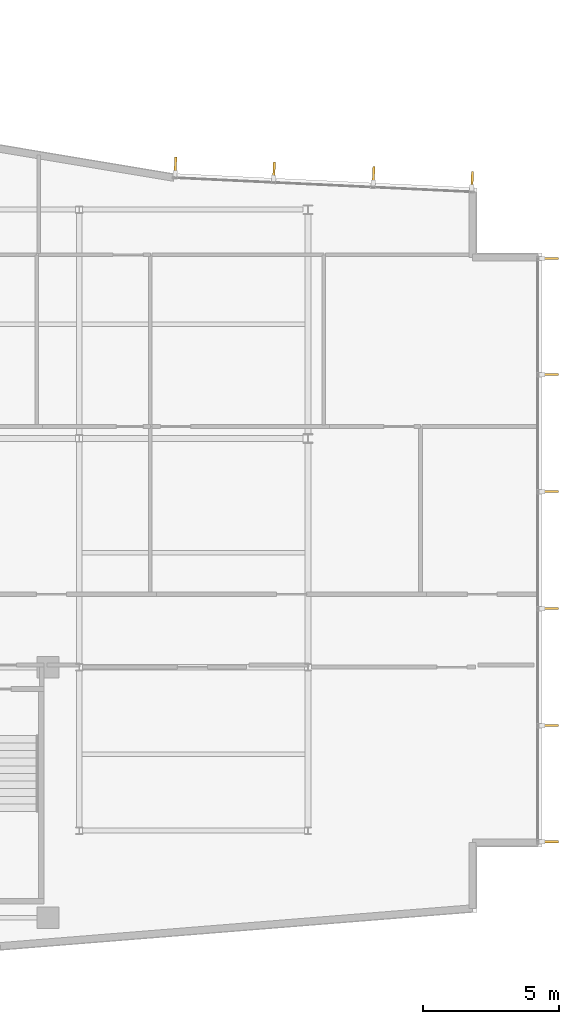
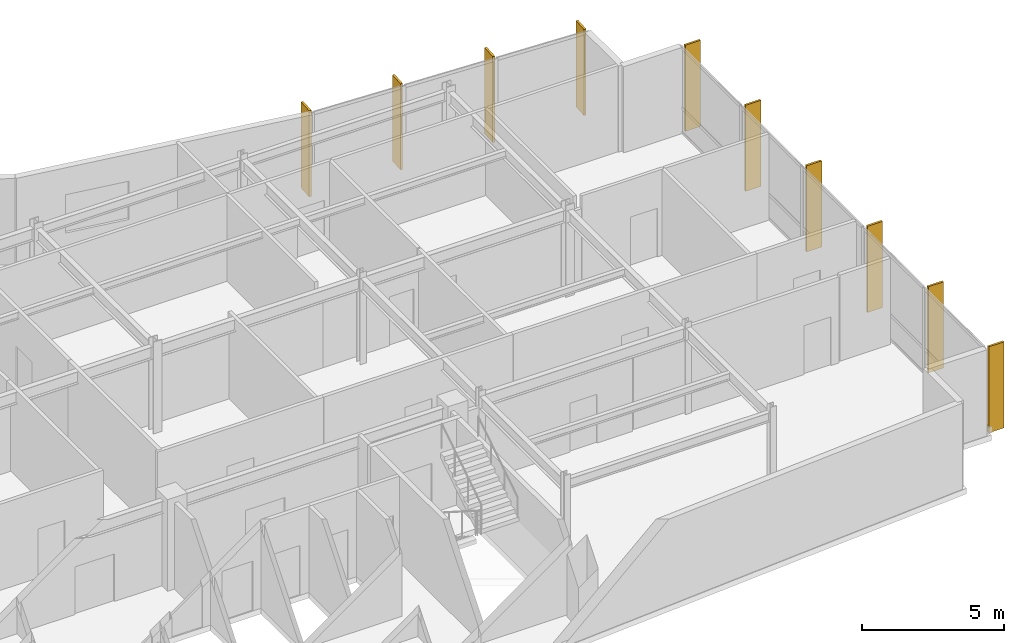
# One storey, part 15 of 16: 10 shading devices.
"""IFC4 building model written with IfcOpenShell, lengths in metres."""

from ifc_helpers import new_model, si_unit, direction, frame, origin, origin_2d, place, context, subcontext, project, spatial, rectangle, extrude, material, layer, layer_set, type_object, element, save


model = new_model("IFC4")

# Units and contexts
model_context = context("Model", 3, precision=1e-05, world=origin(), true_north=direction((0.0, 1.0)))
body_context = subcontext(model_context, "Body", "Model", "MODEL_VIEW")
ifc_project = project(units=[si_unit("LENGTHUNIT", "METRE"), si_unit("AREAUNIT", "SQUARE_METRE"), si_unit("VOLUMEUNIT", "CUBIC_METRE"), si_unit("PLANEANGLEUNIT", "RADIAN"), si_unit("MASSUNIT", "GRAM", prefix="KILO")], contexts=[model_context])

# Site, building, storey
site_placement = place(None, origin())
site = spatial("IfcSite", under=ifc_project, at=site_placement, CompositionType="ELEMENT")
building_placement = place(site_placement, origin())
building = spatial("IfcBuilding", under=site, at=building_placement, Name="Varnakote Quay Hospital", CompositionType="ELEMENT")
storey_placement = place(building_placement, frame((0.0, 0.0, 268.39990234375)))
storey = spatial("IfcBuildingStorey", under=building, at=storey_placement, Name="L66", CompositionType="ELEMENT", Elevation=268.39990234375)

# Shading devices
ifc_material = material(Name="Anodised aluminium 6063-T6 Bronze", Category="aluminium")
ifc_layer = layer(ifc_material, 0.0849609375)
ifc_layer_set = layer_set([ifc_layer], Name="Anodised aluminium 6063-T6 Bronze")
shading_device_type = type_object("IfcShadingDeviceType", Name="SHD-BRONZE-FIN-620", PredefinedType="USERDEFINED", material=ifc_layer_set)
for number, where, z_axis, x_axis, name in (
    (1, (42.489990234375, 5.592529296875, 0.0), (0.0, 0.0, 1.0), (-1.0, 0.0, 0.0), "L66 Anodised Bronze Vertical Shading FIN"),
    (2, (42.489990234375, 9.85595703125, 0.0), (0.0, 0.0, 1.0), (-1.0, 0.0, 0.0), "L66 Anodised Bronze Vertical Shading FIN"),
    (3, (42.489990234375, 14.152099609375, 0.0), (0.0, 0.0, 1.0), (-1.0, 0.0, 0.0), "L66 Anodised Bronze Vertical Shading FIN"),
    (4, (42.489990234375, 18.447998046875, 0.0), (0.0, 0.0, 1.0), (-1.0, 0.0, 0.0), "L66 Anodised Bronze Vertical Shading FIN"),
    (5, (42.489990234375, 22.743896484375, 0.0), (0.0, 0.0, 1.0), (-1.0, 0.0, 0.0), "L66 Anodised Bronze Vertical Shading FIN"),
    (6, (42.489990234375, 27.007568359375, 0.0), (0.0, 0.0, 1.0), (-1.0, 0.0, 0.0), "L66 Anodised Bronze Vertical Shading FIN"),
    (7, (39.62890625, 29.8984375, 0.0), (0.0, 0.0, 1.0), (-0.047455126176, -0.998873370853, 0.0), "L66 Anodised Bronze Vertical Shading FIN"),
    (8, (36.0078125, 30.070556640625, 0.0), (0.0, 0.0, 1.0), (-0.047455126176, -0.998873370853, 0.0), "L66 Anodised Bronze Vertical Shading FIN"),
    (9, (32.35400390625, 30.244384765625, 0.0), (0.0, 0.0, 1.0), (-0.047455126176, -0.998873370853, 0.0), "L66 Anodised Bronze Vertical Shading FIN"),
    (10, (28.73291015625, 30.41650390625, 0.0), (0.0, 0.0, 1.0), (-0.047455126176, -0.998873370853, 0.0), "L66 Anodised Bronze Vertical Shading FIN"),
):
    element("IfcShadingDevice", number, at=place(storey_placement, frame(where, z_axis=z_axis, x_axis=x_axis)), inside=storey, type_object=shading_device_type, Name=name, ObjectType="FIN", PredefinedType="USERDEFINED", context=body_context, shape_type="SweptSolid", body=[
        extrude(rectangle(XDim=0.6201171875, YDim=0.0849609375, at=origin_2d()), origin(), (0.0, 0.0, 1.0), 3.7099609375),
    ])

save(model, "model.ifc")
